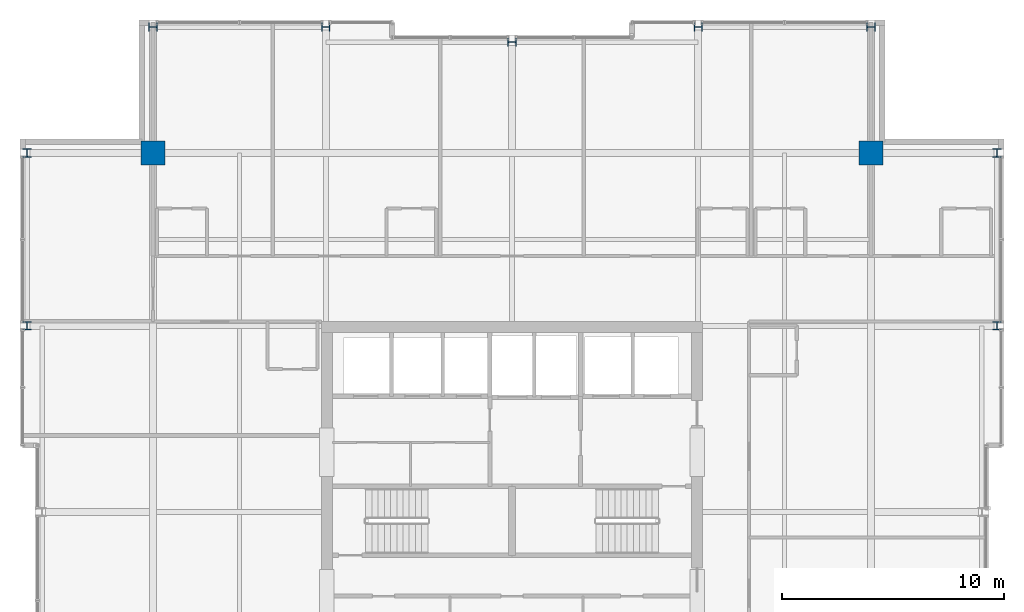
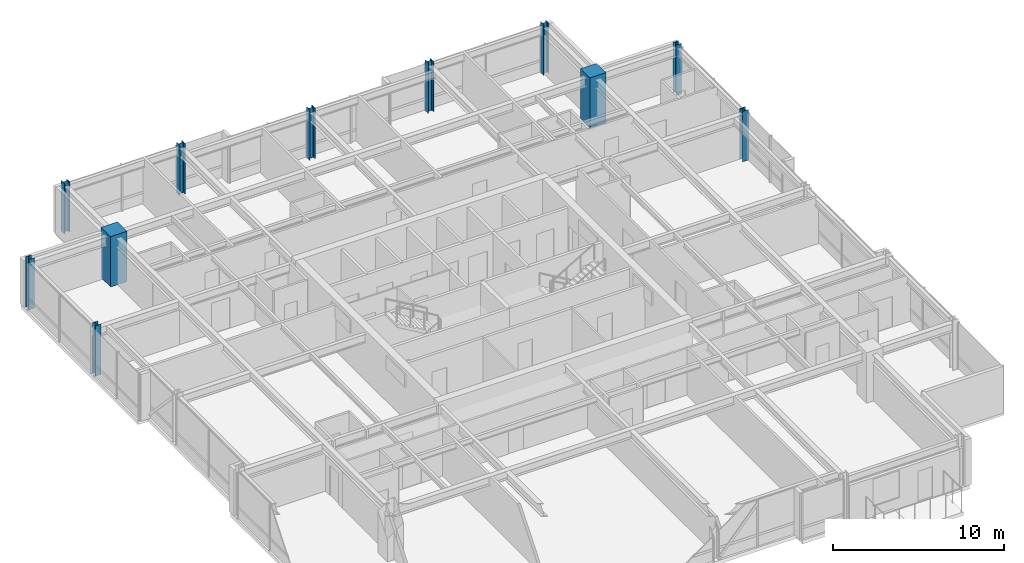
# One storey, part 2 of 32: 11 columns.
"""IFC4 building model written with IfcOpenShell, lengths in metres."""

from ifc_helpers import new_model, si_unit, direction, frame, origin, origin_2d, place, context, subcontext, project, spatial, rectangle, i_section, extrude, material, material_profile, profile_set, type_object, element, save


model = new_model("IFC4")

# Units and contexts
model_context = context("Model", 3, precision=1e-05, world=origin(), true_north=direction((0.0, 1.0)))
body_context = subcontext(model_context, "Body", "Model", "MODEL_VIEW")
ifc_project = project(units=[si_unit("LENGTHUNIT", "METRE"), si_unit("AREAUNIT", "SQUARE_METRE"), si_unit("VOLUMEUNIT", "CUBIC_METRE"), si_unit("PLANEANGLEUNIT", "RADIAN"), si_unit("MASSUNIT", "GRAM", prefix="KILO")], contexts=[model_context])

# Site, building, storey
site_placement = place(None, origin())
site = spatial("IfcSite", under=ifc_project, at=site_placement, CompositionType="ELEMENT")
building_placement = place(site_placement, origin())
building = spatial("IfcBuilding", under=site, at=building_placement, Name="Drelvath Grand Hotel", CompositionType="ELEMENT")
storey_placement = place(building_placement, frame((0.0, 0.0, 241.10009765625)))
storey = spatial("IfcBuildingStorey", under=building, at=storey_placement, Name="L63", CompositionType="ELEMENT", Elevation=241.10009765625)

# Columns
ifc_material_1 = material(Name="Concrete f'c 55 MPa", Category="concrete")
ifc_material_profile_1 = material_profile(ifc_material_1, rectangle(XDim=1.10009765625, YDim=1.10009765625, at=origin_2d()), Name="MC1100X1100")
ifc_profile_set_1 = profile_set([ifc_material_profile_1], Name="Concrete f'c 55 MPa")
column_type_1 = type_object("IfcColumnType", Name="Composite Mega Column MC1100X1100", PredefinedType="COLUMN", material=ifc_profile_set_1)
for number, where, z_axis, x_axis, name in (
    (1, (-16.199951171875, 43.199951171875, 0.0), (0.0, 0.0, 1.0), (1.0, 0.0, 0.0), "L63 Composite Mega Column MC-NW"),
    (2, (16.199951171875, 43.199951171875, 0.0), (0.0, 0.0, 1.0), (1.0, 0.0, 0.0), "L63 Composite Mega Column MC-NE"),
):
    element("IfcColumn", number, at=place(storey_placement, frame(where, z_axis=z_axis, x_axis=x_axis)), inside=storey, type_object=column_type_1, Name=name, PredefinedType="COLUMN", context=body_context, shape_type="SweptSolid", body=[
        extrude(rectangle(XDim=1.10009765625, YDim=1.10009765625, at=origin_2d()), origin(), (0.0, 0.0, 1.0), 3.599853515625),
    ])
ifc_material_2 = material(Name="Steel ASTM A913 Gr 65", Category="steel")
ifc_material_profile_2 = material_profile(ifc_material_2, i_section(OverallWidth=0.3740234375, OverallDepth=0.372314453125, WebThickness=0.016357421875, FlangeThickness=0.026123046875, FilletRadius=0.02490234375, at=origin_2d()), Name="W14X132")
ifc_profile_set_2 = profile_set([ifc_material_profile_2], Name="Steel ASTM A913 Gr 65")
column_type_2 = type_object("IfcColumnType", Name="Perimeter Steel Column W14X132", PredefinedType="COLUMN", material=ifc_profile_set_2)
for number, where, z_axis, x_axis, name in (
    (3, (-21.8798828125, 35.39990234375, 0.0), (0.0, 0.0, 1.0), (1.0, 0.0, 0.0), "L63 Structural Column TCW-F"),
    (4, (21.8798828125, 35.39990234375, 0.0), (0.0, 0.0, 1.0), (1.0, 0.0, 0.0), "L63 Structural Column TCE-F"),
    (5, (-21.8798828125, 43.199951171875, 0.0), (0.0, 0.0, 1.0), (1.0, 0.0, 0.0), "L63 Structural Column TCW-G"),
    (6, (21.8798828125, 43.199951171875, 0.0), (0.0, 0.0, 1.0), (1.0, 0.0, 0.0), "L63 Structural Column TCE-G"),
    (7, (-16.199951171875, 48.8798828125, 0.0), (0.0, 0.0, 1.0), (0.0, 1.0, 0.0), "L63 Structural Column TCN-3"),
    (8, (-8.39990234375, 48.8798828125, 0.0), (0.0, 0.0, 1.0), (0.0, 1.0, 0.0), "L63 Structural Column TCN-4"),
    (9, (0.0, 48.199951171875, 0.0), (0.0, 0.0, 1.0), (0.0, 1.0, 0.0), "L63 Structural Column TCN-5"),
    (10, (8.39990234375, 48.8798828125, 0.0), (0.0, 0.0, 1.0), (0.0, 1.0, 0.0), "L63 Structural Column TCN-6"),
    (11, (16.199951171875, 48.8798828125, 0.0), (0.0, 0.0, 1.0), (0.0, 1.0, 0.0), "L63 Structural Column TCN-7"),
):
    element("IfcColumn", number, at=place(storey_placement, frame(where, z_axis=z_axis, x_axis=x_axis)), inside=storey, type_object=column_type_2, Name=name, PredefinedType="COLUMN", context=body_context, shape_type="SweptSolid", body=[
        extrude(i_section(OverallWidth=0.3740234375, OverallDepth=0.372314453125, WebThickness=0.016357421875, FlangeThickness=0.026123046875, FilletRadius=0.02490234375, at=origin_2d()), origin(), (0.0, 0.0, 1.0), 3.596923828125),
    ])

save(model, "model.ifc")
